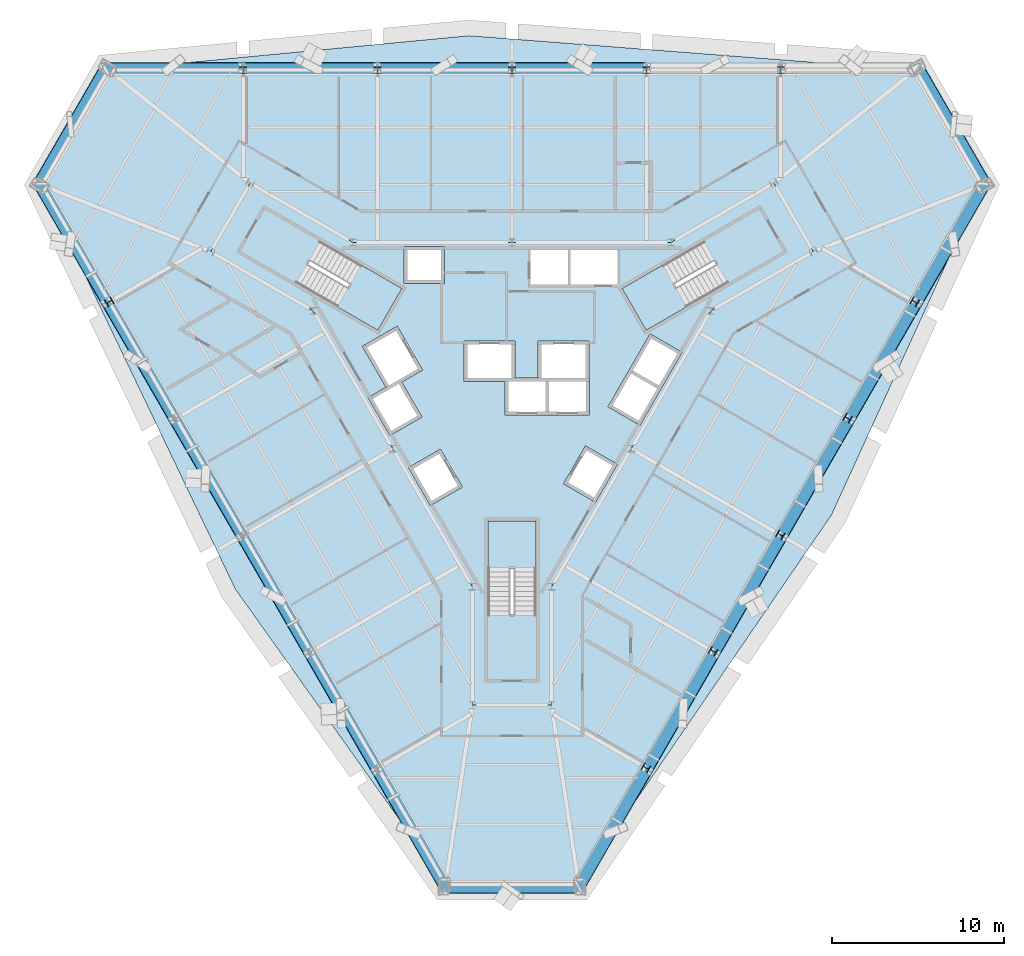
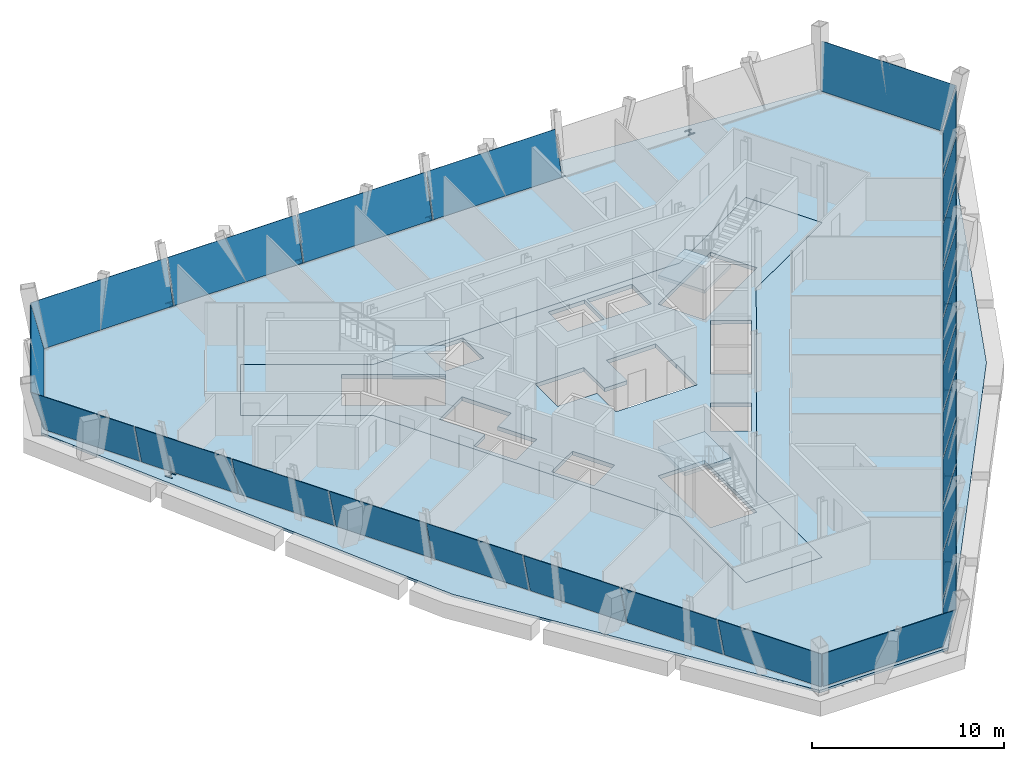
# One storey, part 6 of 12: 26 plates, 11 members, 5 slabs, 9 elements without a shape of their own.
"""IFC4 building model written with IfcOpenShell, lengths in metres."""

from ifc_helpers import new_model, si_unit, direction, frame, origin, origin_2d, place, context, subcontext, project, spatial, polyline, i_section, outline, extrude, material, layer, layer_set, material_profile, profile_set, type_object, element, aggregate, save


model = new_model("IFC4")

# Units and contexts
model_context = context("Model", 3, precision=1e-05, world=origin(), true_north=direction((0.0, 1.0)))
body_context = subcontext(model_context, "Body", "Model", "MODEL_VIEW")
ifc_project = project(units=[si_unit("LENGTHUNIT", "METRE"), si_unit("AREAUNIT", "SQUARE_METRE"), si_unit("VOLUMEUNIT", "CUBIC_METRE"), si_unit("PLANEANGLEUNIT", "RADIAN"), si_unit("MASSUNIT", "GRAM", prefix="KILO")], contexts=[model_context])

# Site, building, storey
site_placement = place(None, origin())
site = spatial("IfcSite", under=ifc_project, at=site_placement, CompositionType="ELEMENT")
building_placement = place(site_placement, origin())
building = spatial("IfcBuilding", under=site, at=building_placement, Name="Verrane Prism Tower", CompositionType="ELEMENT")
storey_placement = place(building_placement, frame((0.0, 0.0, 185.800048828125)))
storey = spatial("IfcBuildingStorey", under=building, at=storey_placement, Name="L46", CompositionType="ELEMENT", Elevation=185.800048828125)

# Members
ifc_material_1 = material(Name="Steel A992", Category="steel")
ifc_material_profile = material_profile(ifc_material_1, i_section(OverallWidth=0.406494140625, OverallDepth=0.41650390625, WebThickness=0.030029296875, FlangeThickness=0.048095703125, FilletRadius=0.01513671875, at=origin_2d()), Name="W14x257")
ifc_profile_set = profile_set([ifc_material_profile], Name="Steel A992")
member_type = type_object("IfcMemberType", Name="Kink node W14x257", PredefinedType="COLLAR", material=ifc_profile_set)
member_1_placement = place(storey_placement, frame((15.631591796875, 18.013916015625, -0.0400390625), z_axis=(0.0, 0.0, 1.0), x_axis=(1.0, 0.0, 0.0)))
element("IfcMember", 1, at=member_1_placement, inside=storey, type_object=member_type, Name="Kink node PC7 L46", PredefinedType="COLLAR", context=body_context, shape_type="SweptSolid", body=[
    extrude(i_section(OverallWidth=0.406494140625, OverallDepth=0.41650390625, WebThickness=0.030029296875, FlangeThickness=0.048095703125, FilletRadius=0.01513671875, at=origin_2d()), origin(), (0.0, 0.0, 1.0), 0.080078125),
])
member_2_placement = place(storey_placement, frame((7.820556640625, 18.01318359375, -0.03515625), z_axis=(0.0, 0.0, 1.0), x_axis=(1.0, 0.0, 0.0)))
element("IfcMember", 2, at=member_2_placement, inside=storey, type_object=member_type, Name="Kink node PC7 L46", PredefinedType="COLLAR", context=body_context, shape_type="SweptSolid", body=[
    extrude(i_section(OverallWidth=0.406494140625, OverallDepth=0.41650390625, WebThickness=0.030029296875, FlangeThickness=0.048095703125, FilletRadius=0.01513671875, at=origin_2d()), origin(), (0.0, 0.0, 1.0), 0.070068359375),
])
member_3_placement = place(storey_placement, frame((0.0, 18.012939453125, -0.030029296875), z_axis=(0.0, 0.0, 1.0), x_axis=(1.0, 0.0, 0.0)))
element("IfcMember", 3, at=member_3_placement, inside=storey, type_object=member_type, Name="Kink node PC7 L46", PredefinedType="COLLAR", context=body_context, shape_type="SweptSolid", body=[
    extrude(i_section(OverallWidth=0.406494140625, OverallDepth=0.41650390625, WebThickness=0.030029296875, FlangeThickness=0.048095703125, FilletRadius=0.01513671875, at=origin_2d()), origin(), (0.0, 0.0, 1.0), 0.06005859375),
])
member_4_placement = place(storey_placement, frame((-7.820556640625, 18.01318359375, -0.03515625), z_axis=(0.0, 0.0, 1.0), x_axis=(1.0, 0.0, 0.0)))
element("IfcMember", 4, at=member_4_placement, inside=storey, type_object=member_type, Name="Kink node PC7 L46", PredefinedType="COLLAR", context=body_context, shape_type="SweptSolid", body=[
    extrude(i_section(OverallWidth=0.406494140625, OverallDepth=0.41650390625, WebThickness=0.030029296875, FlangeThickness=0.048095703125, FilletRadius=0.01513671875, at=origin_2d()), origin(), (0.0, 0.0, 1.0), 0.070068359375),
])
for number, where, z_axis, x_axis, name in (
    (5, (-15.631591796875, 18.013916015625, -0.0400390625), (0.0, 0.0, 1.0), (1.0, 0.0, 0.0), "Kink node PC7 L46"),
    (6, (7.78271484375, -22.55322265625, -0.0400390625), (0.0, 0.0, 1.0), (-0.5, -0.866025403784, 0.0), "Kink node PC7 L46"),
):
    element("IfcMember", number, at=place(storey_placement, frame(where, z_axis=z_axis, x_axis=x_axis)), inside=storey, type_object=member_type, Name=name, PredefinedType="COLLAR", context=body_context, shape_type="SweptSolid", body=[
        extrude(i_section(OverallWidth=0.406494140625, OverallDepth=0.41650390625, WebThickness=0.030029296875, FlangeThickness=0.048095703125, FilletRadius=0.01513671875, at=origin_2d()), origin(), (0.0, 0.0, 1.0), 0.080078125),
    ])
member_5_placement = place(storey_placement, frame((11.692626953125, -15.7822265625, -0.03515625), z_axis=(0.0, 0.0, 1.0), x_axis=(-0.5, -0.866025403784, 0.0)))
element("IfcMember", 7, at=member_5_placement, inside=storey, type_object=member_type, Name="Kink node PC7 L46", PredefinedType="COLLAR", context=body_context, shape_type="SweptSolid", body=[
    extrude(i_section(OverallWidth=0.406494140625, OverallDepth=0.41650390625, WebThickness=0.030029296875, FlangeThickness=0.048095703125, FilletRadius=0.01513671875, at=origin_2d()), origin(), (0.0, 0.0, 1.0), 0.070068359375),
])
member_6_placement = place(storey_placement, frame((15.6025390625, -9.011474609375, -0.030029296875), z_axis=(0.0, 0.0, 1.0), x_axis=(-0.5, -0.866025403784, 0.0)))
element("IfcMember", 8, at=member_6_placement, inside=storey, type_object=member_type, Name="Kink node PC7 L46", PredefinedType="COLLAR", context=body_context, shape_type="SweptSolid", body=[
    extrude(i_section(OverallWidth=0.406494140625, OverallDepth=0.41650390625, WebThickness=0.030029296875, FlangeThickness=0.048095703125, FilletRadius=0.01513671875, at=origin_2d()), origin(), (0.0, 0.0, 1.0), 0.06005859375),
])
member_7_placement = place(storey_placement, frame((19.51318359375, -2.231201171875, -0.03515625), z_axis=(0.0, 0.0, 1.0), x_axis=(-0.5, -0.866025403784, 0.0)))
element("IfcMember", 9, at=member_7_placement, inside=storey, type_object=member_type, Name="Kink node PC7 L46", PredefinedType="COLLAR", context=body_context, shape_type="SweptSolid", body=[
    extrude(i_section(OverallWidth=0.406494140625, OverallDepth=0.41650390625, WebThickness=0.030029296875, FlangeThickness=0.048095703125, FilletRadius=0.01513671875, at=origin_2d()), origin(), (0.0, 0.0, 1.0), 0.070068359375),
])
for number, where, z_axis, x_axis, name in (
    (10, (23.4140625, 4.539306640625, -0.0400390625), (0.0, 0.0, 1.0), (-0.5, -0.866025403784, 0.0), "Kink node PC7 L46"),
    (11, (-23.4140625, 4.539306640625, -0.0400390625), (0.0, 0.0, 1.0), (-0.5, 0.866025403784, 0.0), "Kink node PC7 L46"),
):
    element("IfcMember", number, at=place(storey_placement, frame(where, z_axis=z_axis, x_axis=x_axis)), inside=storey, type_object=member_type, Name=name, PredefinedType="COLLAR", context=body_context, shape_type="SweptSolid", body=[
        extrude(i_section(OverallWidth=0.406494140625, OverallDepth=0.41650390625, WebThickness=0.030029296875, FlangeThickness=0.048095703125, FilletRadius=0.01513671875, at=origin_2d()), origin(), (0.0, 0.0, 1.0), 0.080078125),
    ])

# Slabs
ifc_material_2 = material(Name="Concrete C35/45", Category="concrete")
ifc_layer_1 = layer(ifc_material_2, 0.159912109375)
ifc_layer_set_1 = layer_set([ifc_layer_1], Name="Composite floor slab")
slab_type_1 = type_object("IfcSlabType", Name="Composite floor slab", PredefinedType="FLOOR", material=ifc_layer_set_1)
slab_1_placement = place(storey_placement, frame((0.0, 0.0, -0.16015625)))
element("IfcSlab", 12, at=slab_1_placement, inside=storey, type_object=slab_type_1, Name="Floor slab L46", PredefinedType="FLOOR", context=body_context, shape_type="SweptSolid", body=[
    extrude(outline(polyline([(18.580078125, -7.838623046875), (3.87109375, -29.315185546875), (-3.87109375, -29.315185546875), (-16.078369140625, -12.17138671875), (-27.3232421875, 11.30517578125), (-23.4521484375, 18.010009765625), (-2.501708984375, 20.010009765625), (23.4521484375, 18.010009765625), (27.3232421875, 11.30517578125), (18.580078125, -7.838623046875)]), holes=[polyline([(17.52001953125, 7.4599609375), (15.219970703125, 11.43994140625), (9.260009765625, 8.0), (0.0, 8.0), (-9.260009765625, 8.0), (-15.219970703125, 11.43994140625), (-17.52001953125, 7.4599609375), (-11.56005859375, 4.02001953125), (-6.929931640625, -4.0), (-2.300048828125, -12.02001953125), (-2.300048828125, -18.89990234375), (2.300048828125, -18.89990234375), (2.300048828125, -12.02001953125), (6.929931640625, -4.0), (11.56005859375, 4.02001953125), (17.52001953125, 7.4599609375)])]), origin(), (0.0, 0.0, 1.0), 0.16015625),
])
ifc_material_3 = material(Name="Concrete C40/50", Category="concrete")
ifc_layer_2 = layer(ifc_material_3, 0.25)
ifc_layer_set_2 = layer_set([ifc_layer_2], Name="Core floor slab 250 concrete C40/50")
slab_type_2 = type_object("IfcSlabType", Name="Core floor slab 250 concrete C40/50", PredefinedType="FLOOR", material=ifc_layer_set_2)
slab_2_placement = place(storey_placement, frame((0.0, 0.0, -0.25)))
element("IfcSlab", 13, at=slab_2_placement, inside=storey, type_object=slab_type_2, Name="Core floor L46", PredefinedType="FLOOR", context=body_context, shape_type="SweptSolid", body=[
    extrude(outline(polyline([(11.56005859375, 4.02001953125), (17.52001953125, 7.4599609375), (15.219970703125, 11.43994140625), (9.260009765625, 8.0), (0.0, 8.0), (-9.260009765625, 8.0), (-15.219970703125, 11.43994140625), (-17.52001953125, 7.4599609375), (-11.56005859375, 4.02001953125), (-6.929931640625, -4.0), (-2.300048828125, -12.02001953125), (-2.300048828125, -18.89990234375), (2.300048828125, -18.89990234375), (2.300048828125, -12.02001953125), (6.929931640625, -4.0), (11.56005859375, 4.02001953125)]), holes=[polyline([(1.39990234375, -8.199951171875), (1.39990234375, -13.639892578125), (-1.39990234375, -13.639892578125), (-1.39990234375, -8.199951171875), (1.39990234375, -8.199951171875)]), polyline([(-2.881103515625, -6.22998046875), (-4.742919921875, -7.304931640625), (-6.01806640625, -5.096923828125), (-4.156005859375, -4.02197265625), (-2.881103515625, -6.22998046875)]), polyline([(-7.801025390625, 2.887939453125), (-12.512939453125, 5.60791015625), (-11.113037109375, 8.031982421875), (-6.40087890625, 5.31201171875), (-7.801025390625, 2.887939453125)]), polyline([(-6.284912109375, 5.610107421875), (-6.284912109375, 7.760009765625), (-3.93505859375, 7.760009765625), (-3.93505859375, 5.610107421875), (-6.284912109375, 5.610107421875)]), polyline([(4.26611328125, -3.8310546875), (6.1279296875, -4.906005859375), (4.85302734375, -7.114990234375), (2.990966796875, -6.0400390625), (4.26611328125, -3.8310546875)]), polyline([(7.43798828125, -2.636962890625), (5.575927734375, -1.56201171875), (8.02587890625, 2.680908203125), (9.887939453125, 1.60595703125), (7.43798828125, -2.636962890625)]), polyline([(0.1650390625, 0.10009765625), (1.52490234375, 0.10009765625), (1.52490234375, 2.25), (4.47509765625, 2.25), (4.47509765625, 0.10009765625), (4.4951171875, 0.10009765625), (4.4951171875, -2.050048828125), (-0.405029296875, -2.050048828125), (-0.405029296875, -0.10009765625), (-2.784912109375, -0.10009765625), (-2.784912109375, 2.25), (0.1650390625, 2.25), (0.1650390625, 0.10009765625)]), polyline([(6.40087890625, 5.31201171875), (11.113037109375, 8.031982421875), (12.512939453125, 5.60791015625), (7.801025390625, 2.887939453125), (6.40087890625, 5.31201171875)]), polyline([(1.074951171875, 5.534912109375), (1.074951171875, 7.56005859375), (3.264892578125, 7.56005859375), (3.264892578125, 5.534912109375), (1.074951171875, 5.534912109375)]), polyline([(3.4150390625, 7.56005859375), (6.125, 7.56005859375), (6.125, 5.534912109375), (3.4150390625, 5.534912109375), (3.4150390625, 7.56005859375)]), polyline([(-5.23095703125, -2.159912109375), (-7.093017578125, -3.235107421875), (-8.367919921875, -1.02587890625), (-7.3291015625, -0.426025390625), (-8.7041015625, 1.955078125), (-6.66796875, 3.1298828125), (-5.193115234375, 0.574951171875), (-6.406005859375, -0.125), (-5.23095703125, -2.159912109375)])]), origin(), (0.0, 0.0, 1.0), 0.25),
])

# Curtain wall, plates
ifc_material_4 = material(Name="Aluminium framed insulated glazing", Category="aluminium")
curtain_wall_type_1 = type_object("IfcCurtainWallType", Name="Curtain wall CW-C 4200 module", PredefinedType="NOTDEFINED", material=ifc_material_4)
curtain_wall_1_placement = place(storey_placement, origin())
curtain_wall_1 = element("IfcCurtainWall", 14, at=curtain_wall_1_placement, inside=storey, type_object=curtain_wall_type_1, Name="Glazed curtain wall south-east face L46", PredefinedType="NOTDEFINED")
ifc_material_5 = material(Name="Low-iron insulating glass unit", Category="glass")
ifc_layer_3 = layer(ifc_material_5, 0.02392578125)
ifc_layer_set_3 = layer_set([ifc_layer_3], Name="Glazing panel IGU 24")
plate_type_1 = type_object("IfcPlateType", Name="Glazing panel IGU 24", PredefinedType="CURTAIN_PANEL", material=ifc_layer_set_3)
plate_1_placement = place(storey_placement, frame((3.67626953125, -29.094482421875, 0.050048828125), z_axis=(-0.837571500404, 0.483565537895, 0.254240736844), x_axis=(0.499996118116, 0.866027644963, 5.407783e-06)))
plate_1 = element("IfcPlate", 15, at=plate_1_placement, type_object=plate_type_1, Name="CW44.6 panel 1", PredefinedType="CURTAIN_PANEL", context=body_context, shape_type="SweptSolid", body=[
    extrude(outline(polyline([(0.0, 0.0), (4.181035830534548, 5.551115123125783e-17), (4.181165647122166, -2.753289623995454), (-0.4293923315440138, -2.7533387823248106), (0.0, 0.0)])), origin(), (0.0, 0.0, -1.0), 0.02392578125),
])
plate_2_placement = place(storey_placement, frame((7.919921875, -21.744384765625, 0.050048828125), z_axis=(-0.837567920925, 0.483566358636, 0.254250967813), x_axis=(0.499997126074, 0.86602706304, 0.0)))
plate_2 = element("IfcPlate", 16, at=plate_2_placement, type_object=plate_type_1, Name="CW44.6 panel 3", PredefinedType="CURTAIN_PANEL", context=body_context, shape_type="SweptSolid", body=[
    extrude(outline(polyline([(0.0, 0.0), (4.206078863417648, 0.0), (4.205983662158565, -2.753320659824345), (-9.520125908335508e-05, -2.753320659824345), (0.0, 0.0)])), origin(), (0.0, 0.0, -1.0), 0.02392578125),
])
plate_3_placement = place(storey_placement, frame((10.0478515625, -18.05859375, 0.050048828125), z_axis=(-0.837577361596, 0.483571809168, 0.254209497697), x_axis=(0.499997126074, 0.86602706304, 0.0)))
plate_3 = element("IfcPlate", 17, at=plate_3_placement, type_object=plate_type_1, Name="CW44.6 panel 4", PredefinedType="CURTAIN_PANEL", context=body_context, shape_type="SweptSolid", body=[
    extrude(outline(polyline([(0.0, 0.0), (4.206078863417648, 0.0), (4.206195094547002, -2.7532896260387494), (0.00011623112935416069, -2.7532896260387494), (0.0, 0.0)])), origin(), (0.0, 0.0, -1.0), 0.02392578125),
])
plate_4_placement = place(storey_placement, frame((12.176025390625, -14.37255859375, 0.050048828125), z_axis=(-0.837567920925, 0.483566358636, 0.254250967813), x_axis=(0.499997126074, 0.86602706304, 0.0)))
plate_4 = element("IfcPlate", 18, at=plate_4_placement, type_object=plate_type_1, Name="CW44.6 panel 5", PredefinedType="CURTAIN_PANEL", context=body_context, shape_type="SweptSolid", body=[
    extrude(outline(polyline([(0.0, 0.0), (4.206078863417648, 0.0), (4.205983662158565, -2.753320659824345), (-9.520125908335508e-05, -2.753320659824345), (0.0, 0.0)])), origin(), (0.0, 0.0, -1.0), 0.02392578125),
])
plate_5_placement = place(storey_placement, frame((14.303955078125, -10.686767578125, 0.050048828125), z_axis=(-0.837567920925, 0.483566358636, 0.254250967813), x_axis=(0.499997126074, 0.86602706304, 0.0)))
plate_5 = element("IfcPlate", 19, at=plate_5_placement, type_object=plate_type_1, Name="CW44.6 panel 6", PredefinedType="CURTAIN_PANEL", context=body_context, shape_type="SweptSolid", body=[
    extrude(outline(polyline([(0.0, 0.0), (4.206078863417648, 0.0), (4.205983662158565, -2.753320659824345), (-9.520125908335508e-05, -2.753320659824345), (0.0, 0.0)])), origin(), (0.0, 0.0, -1.0), 0.02392578125),
])
plate_6_placement = place(storey_placement, frame((16.43212890625, -7.0009765625, 0.050048828125), z_axis=(-0.837577361596, 0.483571809168, 0.254209497697), x_axis=(0.499997126074, 0.86602706304, 0.0)))
plate_6 = element("IfcPlate", 20, at=plate_6_placement, type_object=plate_type_1, Name="CW44.6 panel 7", PredefinedType="CURTAIN_PANEL", context=body_context, shape_type="SweptSolid", body=[
    extrude(outline(polyline([(0.0, 0.0), (4.206078863417648, 0.0), (4.206195094547002, -2.7532896260387494), (0.00011623112935416069, -2.7532896260387494), (0.0, 0.0)])), origin(), (0.0, 0.0, -1.0), 0.02392578125),
])
plate_7_placement = place(storey_placement, frame((18.56005859375, -3.31494140625, 0.050048828125), z_axis=(-0.837567920925, 0.483566358636, 0.254250967813), x_axis=(0.499997126074, 0.86602706304, 0.0)))
plate_7 = element("IfcPlate", 21, at=plate_7_placement, type_object=plate_type_1, Name="CW44.6 panel 8", PredefinedType="CURTAIN_PANEL", context=body_context, shape_type="SweptSolid", body=[
    extrude(outline(polyline([(0.0, 0.0), (4.206078863417648, 0.0), (4.205983662158565, -2.753320659824345), (-9.520125908335508e-05, -2.753320659824345), (0.0, 0.0)])), origin(), (0.0, 0.0, -1.0), 0.02392578125),
])
plate_8_placement = place(storey_placement, frame((20.68798828125, 0.370849609375, 0.050048828125), z_axis=(-0.837551565936, 0.483556916151, 0.254322793394), x_axis=(0.499997126074, 0.86602706304, 0.0)))
plate_8 = element("IfcPlate", 22, at=plate_8_placement, type_object=plate_type_1, Name="CW44.6 panel 9", PredefinedType="CURTAIN_PANEL", context=body_context, shape_type="SweptSolid", body=[
    extrude(outline(polyline([(0.0, 0.0), (4.206078863417648, 5.551115123125783e-17), (4.206105731769423, -2.7533744243069336), (2.6868351774622656e-05, -2.7533744243069336), (0.0, 0.0)])), origin(), (0.0, 0.0, -1.0), 0.02392578125),
])
plate_9_placement = place(storey_placement, frame((24.944091796875, 7.74267578125, 0.050048828125), z_axis=(-0.837550782361, 0.483606950739, 0.254230218823), x_axis=(0.50003708535, 0.866003991482, 3.549525e-06)))
plate_9 = element("IfcPlate", 23, at=plate_9_placement, type_object=plate_type_1, Name="CW44.6 panel 11", PredefinedType="CURTAIN_PANEL", context=body_context, shape_type="SweptSolid", body=[
    extrude(outline(polyline([(0.0, 0.0), (4.231032540478291, 5.551115123125783e-17), (4.635458201674107, -2.753288119111863), (-5.3448776330804696e-05, -2.753320660317727), (0.0, 0.0)])), origin(), (0.0, 0.0, -1.0), 0.02392578125),
])

ifc_material_6 = material(Name="Aluminium framed insulated glazing", Category="aluminium")
curtain_wall_type_2 = type_object("IfcCurtainWallType", Name="Curtain wall CW-B 5600 module", PredefinedType="NOTDEFINED", material=ifc_material_6)
curtain_wall_2_placement = place(storey_placement, origin())
curtain_wall_2 = element("IfcCurtainWall", 24, at=curtain_wall_2_placement, inside=storey, type_object=curtain_wall_type_2, Name="Glazed curtain wall south-west face L46", PredefinedType="NOTDEFINED")
ifc_material_7 = material(Name="Low-iron insulating glass unit", Category="glass")
ifc_layer_4 = layer(ifc_material_7, 0.028076171875)
ifc_layer_set_4 = layer_set([ifc_layer_4], Name="Glazing panel IGU 28")
plate_type_2 = type_object("IfcPlateType", Name="Glazing panel IGU 28", PredefinedType="CURTAIN_PANEL", material=ifc_layer_set_4)
plate_10_placement = place(storey_placement, frame((-27.02978515625, 11.354736328125, 0.06005859375), z_axis=(0.837357355009, 0.483464317277, 0.255137049312), x_axis=(0.500012587003, -0.866018136552, -1.372542e-06)))
plate_10 = element("IfcPlate", 25, at=plate_10_placement, type_object=plate_type_2, Name="CW44.4 panel 1", PredefinedType="CURTAIN_PANEL", context=body_context, shape_type="SweptSolid", body=[
    extrude(outline(polyline([(0.0, 0.0), (5.762010066456302, 1.1102230246251565e-16), (5.7620891290153065, -2.74364101305339), (-0.43459163299655584, -2.7436240374329715), (0.0, 0.0)])), origin(), (0.0, 0.0, -1.0), 0.028076171875),
])
plate_11_placement = place(storey_placement, frame((-24.11865234375, 6.312744140625, 0.06005859375), z_axis=(0.837365921663, 0.483443714727, 0.255147972613), x_axis=(0.499992456128, -0.866029759197, 0.0)))
plate_11 = element("IfcPlate", 26, at=plate_11_placement, type_object=plate_type_2, Name="CW44.4 panel 2", PredefinedType="CURTAIN_PANEL", context=body_context, shape_type="SweptSolid", body=[
    extrude(outline(polyline([(0.0, 0.0), (5.792079576917768, 1.1102230246251565e-16), (5.7921785530222625, -2.7436410125823856), (9.897610449521865e-05, -2.743641012582386), (0.0, 0.0)])), origin(), (0.0, 0.0, -1.0), 0.028076171875),
])
plate_12_placement = place(storey_placement, frame((-21.192626953125, 1.24462890625, 0.06005859375), z_axis=(0.837375426686, 0.483449202343, 0.255106376902), x_axis=(0.499992456128, -0.866029759197, 0.0)))
plate_12 = element("IfcPlate", 27, at=plate_12_placement, type_object=plate_type_2, Name="CW44.4 panel 3", PredefinedType="CURTAIN_PANEL", context=body_context, shape_type="SweptSolid", body=[
    extrude(outline(polyline([(0.0, 0.0), (5.792079576917768, 0.0), (5.791967119975584, -2.7436098695983056), (-0.0001124569421837764, -2.743609869598306), (0.0, 0.0)])), origin(), (0.0, 0.0, -1.0), 0.028076171875),
])
plate_13_placement = place(storey_placement, frame((-18.2666015625, -3.823486328125, 0.06005859375), z_axis=(0.837375426686, 0.483449202343, 0.255106376902), x_axis=(0.499992456128, -0.866029759197, 0.0)))
plate_13 = element("IfcPlate", 28, at=plate_13_placement, type_object=plate_type_2, Name="CW44.4 panel 4", PredefinedType="CURTAIN_PANEL", context=body_context, shape_type="SweptSolid", body=[
    extrude(outline(polyline([(0.0, 0.0), (5.792079576917768, 0.0), (5.791967119975584, -2.7436098695983056), (-0.0001124569421837764, -2.743609869598306), (0.0, 0.0)])), origin(), (0.0, 0.0, -1.0), 0.028076171875),
])
plate_14_placement = place(storey_placement, frame((-15.340576171875, -8.8916015625, 0.06005859375), z_axis=(0.837358371431, 0.483459733335, 0.255142399532), x_axis=(0.500009291506, -0.866020039253, -4.502569e-06)))
plate_14 = element("IfcPlate", 29, at=plate_14_placement, type_object=plate_type_2, Name="CW44.4 panel 5", PredefinedType="CURTAIN_PANEL", context=body_context, shape_type="SweptSolid", body=[
    extrude(outline(polyline([(0.0, 0.0), (5.792201648345555, -1.1102230246251565e-16), (5.7919415680798325, -2.7436638109258977), (-0.00013800768478845063, -2.7436098665279367), (0.0, 0.0)])), origin(), (0.0, 0.0, -1.0), 0.028076171875),
])
plate_15_placement = place(storey_placement, frame((-12.41455078125, -13.95947265625, 0.06005859375), z_axis=(0.837348865053, 0.483454244704, 0.255183995331), x_axis=(0.500009291842, -0.866020039059, -4.503252e-06)))
plate_15 = element("IfcPlate", 30, at=plate_15_placement, type_object=plate_type_2, Name="CW44.4 panel 6", PredefinedType="CURTAIN_PANEL", context=body_context, shape_type="SweptSolid", body=[
    extrude(outline(polyline([(0.0, 0.0), (5.792201648345575, 0.0), (5.79215299667051, -2.7436949646737303), (7.342090595174629e-05, -2.7436410114812286), (0.0, 0.0)])), origin(), (0.0, 0.0, -1.0), 0.028076171875),
])
plate_16_placement = place(storey_placement, frame((-9.48828125, -19.027587890625, 0.06005859375), z_axis=(0.837348865053, 0.483454244704, 0.255183995331), x_axis=(0.500007233278, -0.866021227597, 4.503347e-06)))
plate_16 = element("IfcPlate", 31, at=plate_16_placement, type_object=plate_type_2, Name="CW44.4 panel 7", PredefinedType="CURTAIN_PANEL", context=body_context, shape_type="SweptSolid", body=[
    extrude(outline(polyline([(0.0, 0.0), (5.792079576015847, 0.0), (5.7921785539242, -2.7436410106782825), (-2.3094170084503698e-05, -2.7436949650078875), (0.0, 0.0)])), origin(), (0.0, 0.0, -1.0), 0.028076171875),
])
plate_17_placement = place(storey_placement, frame((-6.562255859375, -24.095703125, 0.06005859375), z_axis=(0.837352649175, 0.483438466469, 0.255201469545), x_axis=(0.499993801666, -0.866028982362, 2.307017e-06)))
plate_17 = element("IfcPlate", 32, at=plate_17_placement, type_object=plate_type_2, Name="CW44.4 panel 8", PredefinedType="CURTAIN_PANEL", context=body_context, shape_type="SweptSolid", body=[
    extrude(outline(polyline([(0.0, 0.0), (5.8219376564930085, -1.1102230246251565e-16), (6.226520780684263, -2.743666218497736), (-1.806020083481373e-05, -2.743694966444859), (0.0, 0.0)])), origin(), (0.0, 0.0, -1.0), 0.028076171875),
])
aggregate(curtain_wall_2, [plate_10, plate_11, plate_12, plate_13, plate_14, plate_15, plate_16, plate_17])

# Curtain wall, plate
ifc_material_8 = material(Name="Aluminium framed insulated glazing", Category="aluminium")
curtain_wall_type_3 = type_object("IfcCurtainWallType", Name="Curtain wall CW-A 8400 module", PredefinedType="NOTDEFINED", material=ifc_material_8)
curtain_wall_3_placement = place(storey_placement, origin())
curtain_wall_3 = element("IfcCurtainWall", 33, at=curtain_wall_3_placement, inside=storey, type_object=curtain_wall_type_3, Name="Glazed curtain wall north-east corner L46", PredefinedType="NOTDEFINED")
ifc_material_9 = material(Name="Low-iron insulating glass unit", Category="glass")
ifc_layer_5 = layer(ifc_material_9, 0.031982421875)
ifc_layer_set_5 = layer_set([ifc_layer_5], Name="Glazing panel IGU 32")
plate_type_3 = type_object("IfcPlateType", Name="Glazing panel IGU 32", PredefinedType="CURTAIN_PANEL", material=ifc_layer_set_5)
plate_18_placement = place(storey_placement, frame((27.024658203125, 11.467529296875, 0.070068359375), z_axis=(-0.837135757428, -0.48331871078, 0.256138141331), x_axis=(-0.499998794009, 0.866026100062, -9.79751e-07)))
plate_18 = element("IfcPlate", 34, at=plate_18_placement, type_object=plate_type_3, Name="CW44.1 panel 1", PredefinedType="CURTAIN_PANEL", context=body_context, shape_type="SweptSolid", body=[
    extrude(outline(polyline([(0.0, 0.0), (7.2323930014530635, 0.0), (7.636296375818658, -2.7340366982588424), (-0.4389716152938037, -2.734021182976626), (0.0, 0.0)])), origin(), (0.0, 0.0, -1.0), 0.031982421875),
])
aggregate(curtain_wall_3, [plate_18])

# Curtain wall, plates
curtain_wall_4_placement = place(storey_placement, origin())
curtain_wall_4 = element("IfcCurtainWall", 35, at=curtain_wall_4_placement, inside=storey, type_object=curtain_wall_type_3, Name="Glazed curtain wall north face L46", PredefinedType="NOTDEFINED")
plate_19_placement = place(storey_placement, frame((7.767822265625, 17.73095703125, 0.070068359375), z_axis=(0.0, -0.966670784166, 0.256022645562), x_axis=(-1.0, 0.0, 0.0)))
plate_19 = element("IfcPlate", 36, at=plate_19_placement, type_object=plate_type_3, Name="CW44.2 panel 3", PredefinedType="CURTAIN_PANEL", context=body_context, shape_type="SweptSolid", body=[
    extrude(outline(polyline([(0.0, 0.0), (7.73291015625, 0.0), (7.73291015625, -2.733942422709821), (0.0, -2.733942422709821), (0.0, 0.0)])), origin(), (0.0, 0.0, -1.0), 0.031982421875),
])
plate_20_placement = place(storey_placement, frame((-0.034912109375, 17.73095703125, 0.070068359375), z_axis=(0.0, -0.966670784166, 0.256022645562), x_axis=(-1.0, 0.0, 0.0)))
plate_20 = element("IfcPlate", 37, at=plate_20_placement, type_object=plate_type_3, Name="CW44.2 panel 4", PredefinedType="CURTAIN_PANEL", context=body_context, shape_type="SweptSolid", body=[
    extrude(outline(polyline([(0.0, 0.0), (7.73291015625, 0.0), (7.73291015625, -2.733942422709821), (0.0, -2.733942422709821), (0.0, 0.0)])), origin(), (0.0, 0.0, -1.0), 0.031982421875),
])
plate_21_placement = place(storey_placement, frame((-7.837890625, 17.73095703125, 0.070068359375), z_axis=(0.0, -0.966670784166, 0.256022645562), x_axis=(-1.0, 0.0, 0.0)))
plate_21 = element("IfcPlate", 38, at=plate_21_placement, type_object=plate_type_3, Name="CW44.2 panel 5", PredefinedType="CURTAIN_PANEL", context=body_context, shape_type="SweptSolid", body=[
    extrude(outline(polyline([(0.0, 0.0), (7.732666015625, 0.0), (7.732666015625, -2.733942422709821), (0.0, -2.733942422709821), (0.0, 0.0)])), origin(), (0.0, 0.0, -1.0), 0.031982421875),
])
plate_22_placement = place(storey_placement, frame((-15.640625, 17.73095703125, 0.070068359375), z_axis=(0.0, -0.966670784166, 0.256022645562), x_axis=(-1.0, 0.0, 0.0)))
plate_22 = element("IfcPlate", 39, at=plate_22_placement, type_object=plate_type_3, Name="CW44.2 panel 6", PredefinedType="CURTAIN_PANEL", context=body_context, shape_type="SweptSolid", body=[
    extrude(outline(polyline([(0.0, 0.0), (7.767822265625, 0.0), (8.17236328125, -2.733942422709821), (0.0, -2.733942422709821), (0.0, 0.0)])), origin(), (0.0, 0.0, -1.0), 0.031982421875),
])
aggregate(curtain_wall_4, [plate_19, plate_20, plate_21, plate_22])

# Curtain wall, plate
curtain_wall_5_placement = place(storey_placement, origin())
curtain_wall_5 = element("IfcCurtainWall", 40, at=curtain_wall_5_placement, inside=storey, type_object=curtain_wall_type_3, Name="Glazed curtain wall north-west corner L46", PredefinedType="NOTDEFINED")
plate_23_placement = place(storey_placement, frame((-23.443359375, 17.67041015625, 0.070068359375), z_axis=(0.837136877657, -0.483332389015, 0.256108667942), x_axis=(-0.500008943393, -0.866020240251, 1.148016e-06)))
plate_23 = element("IfcPlate", 41, at=plate_23_placement, type_object=plate_type_3, Name="CW44.3 panel 1", PredefinedType="CURTAIN_PANEL", context=body_context, shape_type="SweptSolid", body=[
    extrude(outline(polyline([(0.0, 0.0), (7.2327265044871565, 1.1102230246251565e-16), (7.636700141841845, -2.7339978013041497), (-0.4389013515733019, -2.7340159818620298), (0.0, 0.0)])), origin(), (0.0, 0.0, -1.0), 0.031982421875),
])
aggregate(curtain_wall_5, [plate_23])

curtain_wall_6_placement = place(storey_placement, origin())
curtain_wall_6 = element("IfcCurtainWall", 42, at=curtain_wall_6_placement, inside=storey, type_object=curtain_wall_type_3, Name="Glazed curtain wall south corner L46", PredefinedType="NOTDEFINED")
plate_24_placement = place(storey_placement, frame((-3.581298828125, -29.1376953125, 0.070068359375), z_axis=(0.0, 0.966626570216, 0.256189527016), x_axis=(1.0, 0.0, 0.0)))
plate_24 = element("IfcPlate", 43, at=plate_24_placement, type_object=plate_type_3, Name="CW44.5 panel 1", PredefinedType="CURTAIN_PANEL", context=body_context, shape_type="SweptSolid", body=[
    extrude(outline(polyline([(0.0, 0.0), (7.232666015625, 0.0), (7.63671875, -2.734067474510698), (-0.43896484375, -2.734067474510698), (0.0, 0.0)])), origin(), (0.0, 0.0, -1.0), 0.031982421875),
])
aggregate(curtain_wall_6, [plate_24])

# Stair, slab
ifc_material_10 = material(Name="Concrete C40/50", Category="concrete")
stair_type = type_object("IfcStairType", Name="Exit stair 1300 dog-leg precast concrete C40/50", PredefinedType="HALF_TURN_STAIR", material=ifc_material_10)
stair_1_placement = place(storey_placement, origin())
stair_1 = element("IfcStair", 44, at=stair_1_placement, inside=storey, type_object=stair_type, Name="Stair 1 L46", PredefinedType="HALF_TURN_STAIR")
ifc_material_11 = material(Name="Concrete C40/50", Category="concrete")
ifc_layer_6 = layer(ifc_material_11, 0.199951171875)
ifc_layer_set_6 = layer_set([ifc_layer_6], Name="Stair landing 200 precast concrete C40/50")
slab_type_3 = type_object("IfcSlabType", Name="Stair landing 200 precast concrete C40/50", PredefinedType="LANDING", material=ifc_layer_set_6)
slab_3_placement = place(storey_placement, frame((0.0, 0.0, 1.64990234375)))
slab_3 = element("IfcSlab", 45, at=slab_3_placement, type_object=slab_type_3, Name="Stair 1 landing 1", PredefinedType="LANDING", context=body_context, shape_type="SweptSolid", body=[
    extrude(outline(polyline([(8.791748046875, 6.6923828125), (6.4013671875, 5.3125), (7.801513671875, 2.887451171875), (10.191650390625, 4.267578125), (8.791748046875, 6.6923828125)])), origin(), (0.0, 0.0, 1.0), 0.199951171875),
])
aggregate(stair_1, [slab_3])

stair_2_placement = place(storey_placement, origin())
stair_2 = element("IfcStair", 46, at=stair_2_placement, inside=storey, type_object=stair_type, Name="Stair 2 L46", PredefinedType="HALF_TURN_STAIR")
slab_4_placement = place(storey_placement, frame((0.0, 0.0, 1.64990234375)))
slab_4 = element("IfcSlab", 47, at=slab_4_placement, type_object=slab_type_3, Name="Stair 2 landing 1", PredefinedType="LANDING", context=body_context, shape_type="SweptSolid", body=[
    extrude(outline(polyline([(-10.191650390625, 4.267578125), (-7.801513671875, 2.887451171875), (-6.4013671875, 5.3125), (-8.791748046875, 6.6923828125), (-10.191650390625, 4.267578125)])), origin(), (0.0, 0.0, 1.0), 0.199951171875),
])
aggregate(stair_2, [slab_4])

stair_3_placement = place(storey_placement, origin())
stair_3 = element("IfcStair", 48, at=stair_3_placement, inside=storey, type_object=stair_type, Name="Stair 3 L46", PredefinedType="HALF_TURN_STAIR")
slab_5_placement = place(storey_placement, frame((0.0, 0.0, 1.64990234375)))
slab_5 = element("IfcSlab", 49, at=slab_5_placement, type_object=slab_type_3, Name="Stair 3 landing 1", PredefinedType="LANDING", context=body_context, shape_type="SweptSolid", body=[
    extrude(outline(polyline([(1.39990234375, -10.9599609375), (1.39990234375, -8.199951171875), (-1.39990234375, -8.199951171875), (-1.39990234375, -10.9599609375), (1.39990234375, -10.9599609375)])), origin(), (0.0, 0.0, 1.0), 0.199951171875),
])
aggregate(stair_3, [slab_5])

# Plate
ifc_material_12 = material(Name="Warm limestone cladding", Category="masonry")
ifc_layer_7 = layer(ifc_material_12, 0.028076171875)
ifc_layer_set_7 = layer_set([ifc_layer_7], Name="Stone-faced spandrel panel 28")
plate_type_4 = type_object("IfcPlateType", Name="Stone-faced spandrel panel 28", PredefinedType="CURTAIN_PANEL", material=ifc_layer_set_7)
plate_25_placement = place(storey_placement, frame((5.791748046875, -25.43017578125, 0.050048828125), z_axis=(-0.837551565936, 0.483556916151, 0.254322793394), x_axis=(0.499997126074, 0.86602706304, 0.0)))
plate_25 = element("IfcPlate", 50, at=plate_25_placement, type_object=plate_type_4, Name="CW44.6 panel 2", PredefinedType="CURTAIN_PANEL", context=body_context, shape_type="SweptSolid", body=[
    extrude(outline(polyline([(0.0, 0.0), (4.206078863417648, 5.551115123125783e-17), (4.206105731769423, -2.7533744243069336), (2.6868351774622656e-05, -2.7533744243069336), (0.0, 0.0)])), origin(), (0.0, 0.0, -1.0), 0.028076171875),
])

plate_26_placement = place(storey_placement, frame((22.816162109375, 4.056640625, 0.050048828125), z_axis=(-0.837577361596, 0.483571809168, 0.254209497697), x_axis=(0.499997126074, 0.86602706304, 0.0)))
plate_26 = element("IfcPlate", 51, at=plate_26_placement, type_object=plate_type_4, Name="CW44.6 panel 10", PredefinedType="CURTAIN_PANEL", context=body_context, shape_type="SweptSolid", body=[
    extrude(outline(polyline([(0.0, 0.0), (4.206078863417648, 0.0), (4.206195094547002, -2.7532896260387494), (0.00011623112935416069, -2.7532896260387494), (0.0, 0.0)])), origin(), (0.0, 0.0, -1.0), 0.028076171875),
])

aggregate(curtain_wall_1, [plate_1, plate_25, plate_2, plate_3, plate_4, plate_5, plate_6, plate_7, plate_8, plate_26, plate_9])

save(model, "model.ifc")
